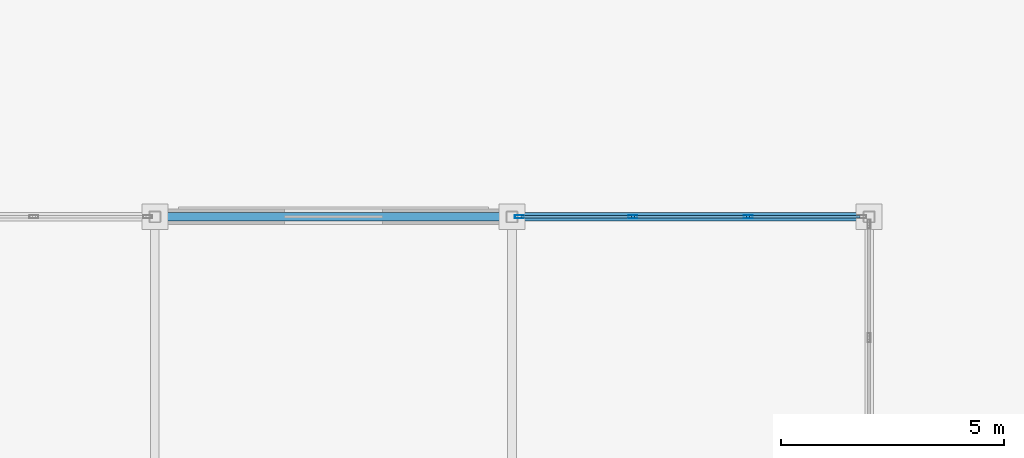
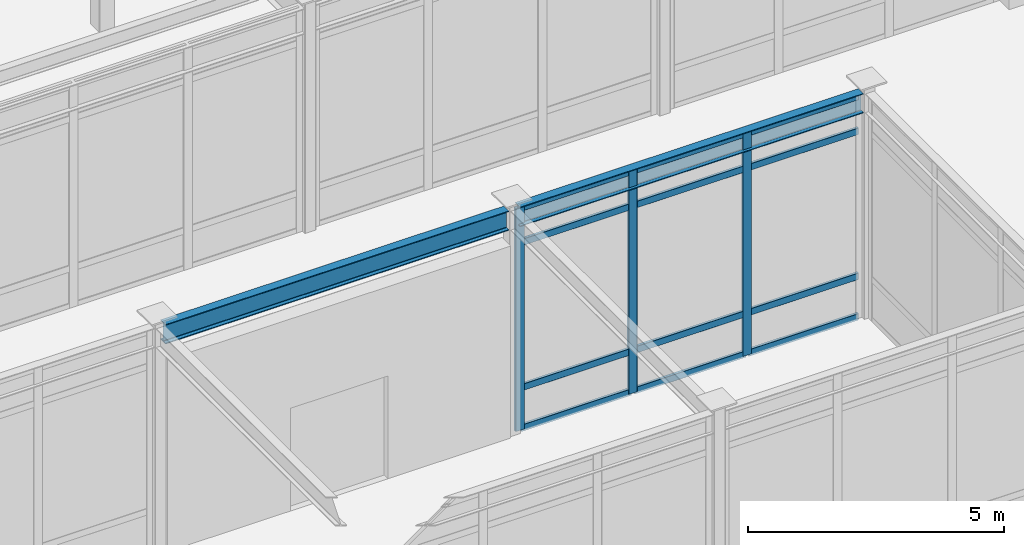
# One storey, part 62 of 128: 15 members, 2 beams, 1 element without a shape of its own.
"""IFC4 building model written with IfcOpenShell, lengths in metres."""

import ifcopenshell
import ifcopenshell.guid

model = None  # the IFC model being written
_history = None  # IfcOwnerHistory: only IFC2X3 demands one
_inside = {}  # id of a spatial element -> (the spatial element, [elements in it])
_under = {}  # id of a project, library or spatial element -> (it, [spatial elements below it])
_declared = {}  # id of a project -> (the project, [libraries it declares])
_typed = {}  # id of a type object -> (the type object, [elements of that type])
_made_of = {}  # id of a material, layer set ... -> (it, [elements and type objects made of it])


def new_model(schema):
    """Start an empty IFC model of exactly this schema.

    Asked for "IFC4X3", IfcOpenShell would pick the latest addendum, in which some entities
    have other attributes; the version numbers below select the first issue.
    IFC2X3 requires an IfcOwnerHistory on every rooted entity: one is made here for all.
    """
    global model, _history
    if schema == "IFC4X3":
        model = ifcopenshell.file(schema_version=(4, 3, 0, 0))
    else:
        model = ifcopenshell.file(schema=schema)
    _inside.clear()
    _under.clear()
    _declared.clear()
    _typed.clear()
    _made_of.clear()
    _history = None
    if model.schema == "IFC2X3":
        org = make("IfcOrganization", Name="unknown")
        user = make(
            "IfcPersonAndOrganization",
            ThePerson=make("IfcPerson", FamilyName="unknown"),
            TheOrganization=org,
        )
        app = make(
            "IfcApplication",
            ApplicationDeveloper=org,
            Version="unknown",
            ApplicationFullName="unknown",
            ApplicationIdentifier="unknown",
        )
        _history = make(
            "IfcOwnerHistory",
            OwningUser=user,
            OwningApplication=app,
            ChangeAction="ADDED",
            CreationDate=0,
        )
    return model


def make(cls, **values):
    """One entity of the class cls with the attributes given. An attribute that is None is left unset."""
    return model.create_entity(
        cls, **{name: value for name, value in values.items() if value is not None}
    )


def rooted(cls, **values):
    """An entity with a GlobalId (a new one), such as an element, a storey or a relation."""
    return make(cls, GlobalId=ifcopenshell.guid.new(), OwnerHistory=_history, **values)


def si_unit(unit_type, name, prefix=None):
    """IfcSIUnit, for example si_unit("LENGTHUNIT", "METRE", prefix="MILLI")."""
    return make("IfcSIUnit", UnitType=unit_type, Prefix=prefix, Name=name)


def assignment(units):
    """IfcUnitAssignment: the units of a project."""
    return None if units is None else make("IfcUnitAssignment", Units=units)


def point(xyz):
    """IfcCartesianPoint."""
    return None if xyz is None else make("IfcCartesianPoint", Coordinates=xyz)


def direction(xyz):
    """IfcDirection."""
    return None if xyz is None else make("IfcDirection", DirectionRatios=xyz)


def frame(location, z_axis=None, x_axis=None):
    """IfcAxis2Placement3D, a coordinate frame: its origin and axes. An axis left out is left unset."""
    return make(
        "IfcAxis2Placement3D",
        Location=point(location),
        Axis=direction(z_axis),
        RefDirection=direction(x_axis),
    )


def frame_2d(location, x_axis=None):
    """IfcAxis2Placement2D, a coordinate frame in the plane: its origin and x axis."""
    return make(
        "IfcAxis2Placement2D", Location=point(location), RefDirection=direction(x_axis)
    )


def origin():
    """The frame at (0, 0, 0) with its axes left unset."""
    return frame((0.0, 0.0, 0.0))


def origin_2d():
    """The frame at (0, 0) in the plane with its x axis left unset."""
    return frame_2d((0.0, 0.0))


def place(relative_to, where):
    """IfcLocalPlacement: puts the frame where relative to a parent placement (None: the world)."""
    return make(
        "IfcLocalPlacement", PlacementRelTo=relative_to, RelativePlacement=where
    )


def context(
    kind, dimensions, precision=None, world=None, true_north=None, identifier=None
):
    """IfcGeometricRepresentationContext, for example the 3D "Model" context."""
    return make(
        "IfcGeometricRepresentationContext",
        ContextIdentifier=identifier,
        ContextType=kind,
        CoordinateSpaceDimension=dimensions,
        Precision=precision,
        WorldCoordinateSystem=world,
        TrueNorth=true_north,
    )


def subcontext(parent, identifier, kind, view, scale=None):
    """IfcGeometricRepresentationSubContext, for example "Body" below "Model"."""
    return make(
        "IfcGeometricRepresentationSubContext",
        ContextIdentifier=identifier,
        ContextType=kind,
        ParentContext=parent,
        TargetScale=scale,
        TargetView=view,
    )


def project(units=None, contexts=None):
    """IfcProject with its units and contexts."""
    return rooted(
        "IfcProject",
        Name="project",
        RepresentationContexts=contexts,
        UnitsInContext=assignment(units),
    )


def spatial(cls, under=None, at=None, **own):
    """A site, building, storey or space (cls), placed at a placement, below another one or the project."""
    s = rooted(cls, ObjectPlacement=at, **own)
    if under is not None:
        _under.setdefault(under.id(), (under, []))[1].append(s)
    return s


def profile(cls, at=None, kind="AREA", **sizes):
    """A parametric profile (cls). Its sizes go by their IFC names, for example OverallWidth=200.0."""
    return make(cls, ProfileType=kind, Position=at, **sizes)


def hollow_rectangle(**sizes):
    """IfcRectangleHollowProfileDef."""
    return profile("IfcRectangleHollowProfileDef", **sizes)


def i_section(**sizes):
    """IfcIShapeProfileDef."""
    return profile("IfcIShapeProfileDef", **sizes)


def extrude(swept, where, along, depth):
    """IfcExtrudedAreaSolid: the profile swept, set in the frame where, extruded along a direction by depth."""
    return make(
        "IfcExtrudedAreaSolid",
        SweptArea=swept,
        Position=where,
        ExtrudedDirection=direction(along),
        Depth=depth,
    )


def shape(context_of_items, identifier, shape_type, items):
    """IfcShapeRepresentation: the items that make up one representation, for example the "Body"."""
    return make(
        "IfcShapeRepresentation",
        ContextOfItems=context_of_items,
        RepresentationIdentifier=identifier,
        RepresentationType=shape_type,
        Items=items,
    )


def material(Name=None, Category=None):
    """IfcMaterial."""
    return make("IfcMaterial", Name=Name, Category=Category)


def material_profile(
    of_material, cross_section, Name=None, Category=None, Priority=None
):
    """IfcMaterialProfile: a cross section and its material."""
    return make(
        "IfcMaterialProfile",
        Name=Name,
        Material=of_material,
        Profile=cross_section,
        Priority=Priority,
        Category=Category,
    )


def profile_set(profiles, Name=None, composite=None):
    """IfcMaterialProfileSet."""
    return make(
        "IfcMaterialProfileSet",
        Name=Name,
        MaterialProfiles=profiles,
        CompositeProfile=composite,
    )


def made_of(thing, what):
    """Note that an element or type object is made of a material, layer set ...; save() writes the relation."""
    if what is not None:
        _made_of.setdefault(what.id(), (what, []))[1].append(thing)
    return thing


def type_object(cls, material=None, **own):
    """A type object (cls), such as IfcWallType, which elements share."""
    return made_of(rooted(cls, **own), material)


def element(
    cls,
    number,
    at=None,
    inside=None,
    cuts=None,
    type_object=None,
    material=None,
    context=None,
    identifier="Body",
    shape_type=None,
    held_by="IfcProductDefinitionShape",
    body=None,
    shapes=None,
    **own,
):
    """One element of the class cls, such as IfcWall. Its Tag is "e" and its number.

    at: its placement. inside: the storey or other place that contains it. cuts: it is an
    opening in that element (IfcRelVoidsElement). A single representation is given by context,
    identifier, shape_type and body (its items); several are given by shapes. held_by: the class
    of the entity that holds the representations. save() writes the other relations.
    """
    e = rooted(cls, Tag="e%d" % number, ObjectPlacement=at, **own)
    if body is not None:
        shapes = [shape(context, identifier, shape_type, body)]
    if shapes is not None:
        e.Representation = make(held_by, Representations=shapes)
    if inside is not None:
        _inside.setdefault(inside.id(), (inside, []))[1].append(e)
    if cuts is not None:
        rooted(
            "IfcRelVoidsElement", RelatingBuildingElement=cuts, RelatedOpeningElement=e
        )
    if type_object is not None:
        _typed.setdefault(type_object.id(), (type_object, []))[1].append(e)
    return made_of(e, material)


def aggregate(whole, parts):
    """IfcRelAggregates: a whole, such as a stair, and the parts it consists of."""
    return rooted("IfcRelAggregates", RelatingObject=whole, RelatedObjects=parts)


def save(model, path):
    """Write the relations noted so far, then the file.

    IfcRelAggregates (storeys below a building ...), IfcRelContainedInSpatialStructure (elements
    in a storey), IfcRelDefinesByType, IfcRelAssociatesMaterial and IfcRelDeclares: one each for
    every whole, place, type object, material and project.
    """
    for whole, parts in _under.values():
        aggregate(whole, parts)
    for where, things in _inside.values():
        rooted(
            "IfcRelContainedInSpatialStructure",
            RelatedElements=things,
            RelatingStructure=where,
        )
    for kind, things in _typed.values():
        rooted("IfcRelDefinesByType", RelatedObjects=things, RelatingType=kind)
    for what, things in _made_of.values():
        rooted("IfcRelAssociatesMaterial", RelatedObjects=things, RelatingMaterial=what)
    for by, libraries in _declared.values():
        rooted("IfcRelDeclares", RelatingContext=by, RelatedDefinitions=libraries)
    model.write(path)


model = new_model("IFC4")

# Units and contexts
model_context = context("Model", 3, precision=1e-05, world=origin(), true_north=direction((0.0, 1.0)))
body_context = subcontext(model_context, "Body", "Model", "MODEL_VIEW")
ifc_project = project(units=[si_unit("LENGTHUNIT", "METRE"), si_unit("AREAUNIT", "SQUARE_METRE"), si_unit("VOLUMEUNIT", "CUBIC_METRE"), si_unit("PLANEANGLEUNIT", "RADIAN"), si_unit("MASSUNIT", "GRAM", prefix="KILO")], contexts=[model_context])

# Site, building, storey
site_placement = place(None, origin())
site = spatial("IfcSite", under=ifc_project, at=site_placement, CompositionType="ELEMENT")
building_placement = place(site_placement, origin())
building = spatial("IfcBuilding", under=site, at=building_placement, Name="Solmirada Galleria", CompositionType="ELEMENT")
storey_placement = place(building_placement, origin())
storey = spatial("IfcBuildingStorey", under=building, at=storey_placement, Name="L00", CompositionType="ELEMENT", Elevation=0.0)

# Beams
ifc_material_1 = material(Name="Steel S355 / ASTM A992 Grade 50", Category="steel")
ifc_material_profile_1 = material_profile(ifc_material_1, i_section(OverallWidth=0.193115234375, OverallDepth=0.466064453125, WebThickness=0.011474609375, FlangeThickness=0.01904296875, FilletRadius=0.013916015625, at=origin_2d()), Name="W18X65")
ifc_profile_set_1 = profile_set([ifc_material_profile_1], Name="Steel S355 / ASTM A992 Grade 50")
beam_type = type_object("IfcBeamType", Name="BM-GIRD-W18C", PredefinedType="BEAM", material=ifc_profile_set_1)
for number, where, z_axis, x_axis, name in (
    (1, (56.126953125, 64.0, 5.139892578125), (1.0, 0.0, 0.0), (0.0, 1.0, 0.0), "Arcade boutique roof girder BW"),
    (2, (64.126953125, 64.0, 5.139892578125), (1.0, 0.0, 0.0), (0.0, 1.0, 0.0), "Arcade boutique roof girder BW"),
):
    element("IfcBeam", number, at=place(storey_placement, frame(where, z_axis=z_axis, x_axis=x_axis)), inside=storey, type_object=beam_type, Name=name, PredefinedType="BEAM", context=body_context, shape_type="SweptSolid", body=[
        extrude(i_section(OverallWidth=0.193115234375, OverallDepth=0.466064453125, WebThickness=0.011474609375, FlangeThickness=0.01904296875, FilletRadius=0.013916015625, at=origin_2d()), origin(), (0.0, 0.0, 1.0), 7.74609375),
    ])

# Curtain wall, members
ifc_material_2 = material(Name="Impact-resistant low-E double glazing", Category="glass")
curtain_wall_type = type_object("IfcCurtainWallType", Name="CW-FZ5-L00-B3-L077", PredefinedType="NOTDEFINED", material=ifc_material_2)
curtain_wall_placement = place(storey_placement, origin())
curtain_wall = element("IfcCurtainWall", 3, at=curtain_wall_placement, inside=storey, type_object=curtain_wall_type, Name="Terrace and arcade storefront CW-L00-037", PredefinedType="NOTDEFINED")
ifc_material_3 = material(Name="Anodised aluminium framing", Category="aluminium")
ifc_material_profile_2 = material_profile(ifc_material_3, hollow_rectangle(XDim=0.070068359375, YDim=0.199951171875, WallThickness=0.004150390625, InnerFilletRadius=0.004150390625, OuterFilletRadius=0.00830078125, at=origin_2d()), Name="ALU-MULL-200X70")
ifc_profile_set_2 = profile_set([ifc_material_profile_2], Name="Anodised aluminium framing")
member_type_1 = type_object("IfcMemberType", Name="CW-MULL-200", PredefinedType="MULLION", material=ifc_profile_set_2)
member_1_placement = place(storey_placement, frame((64.1640625, 64.0, 0.0), z_axis=(0.0, 0.0, 1.0), x_axis=(0.0, 1.0, 0.0)))
member_1 = element("IfcMember", 4, at=member_1_placement, type_object=member_type_1, Name="CW08 mullion 1", PredefinedType="MULLION", context=body_context, shape_type="SweptSolid", body=[
    extrude(hollow_rectangle(XDim=0.070068359375, YDim=0.199951171875, WallThickness=0.004150390625, InnerFilletRadius=0.004150390625, OuterFilletRadius=0.00830078125, at=origin_2d()), origin(), (0.0, 0.0, 1.0), 5.320068359375),
])
member_2_placement = place(storey_placement, frame((66.709716796875, 64.0, 0.0), z_axis=(0.0, 0.0, 1.0), x_axis=(0.0, 1.0, 0.0)))
member_2 = element("IfcMember", 5, at=member_2_placement, type_object=member_type_1, Name="CW08 mullion 2", PredefinedType="MULLION", context=body_context, shape_type="SweptSolid", body=[
    extrude(hollow_rectangle(XDim=0.070068359375, YDim=0.199951171875, WallThickness=0.004150390625, InnerFilletRadius=0.004150390625, OuterFilletRadius=0.00830078125, at=origin_2d()), origin(), (0.0, 0.0, 1.0), 5.320068359375),
])
member_3_placement = place(storey_placement, frame((69.290283203125, 64.0, 0.0), z_axis=(0.0, 0.0, 1.0), x_axis=(0.0, 1.0, 0.0)))
member_3 = element("IfcMember", 6, at=member_3_placement, type_object=member_type_1, Name="CW08 mullion 3", PredefinedType="MULLION", context=body_context, shape_type="SweptSolid", body=[
    extrude(hollow_rectangle(XDim=0.070068359375, YDim=0.199951171875, WallThickness=0.004150390625, InnerFilletRadius=0.004150390625, OuterFilletRadius=0.00830078125, at=origin_2d()), origin(), (0.0, 0.0, 1.0), 5.320068359375),
])
ifc_material_profile_3 = material_profile(ifc_material_3, hollow_rectangle(XDim=0.06494140625, YDim=0.159912109375, WallThickness=0.00390625, InnerFilletRadius=0.00390625, OuterFilletRadius=0.007568359375, at=origin_2d()), Name="ALU-TRAN-160X65")
ifc_profile_set_3 = profile_set([ifc_material_profile_3], Name="Anodised aluminium framing")
member_type_2 = type_object("IfcMemberType", Name="CW-TRAN-160", PredefinedType="USERDEFINED", material=ifc_profile_set_3)
member_4_placement = place(storey_placement, frame((64.198974609375, 64.0, 0.032470703125), z_axis=(1.0, 0.0, 0.0), x_axis=(0.0, 1.0, 0.0)))
member_4 = element("IfcMember", 7, at=member_4_placement, type_object=member_type_2, Name="CW08 transom 1.1", ObjectType="TRANSOM", PredefinedType="USERDEFINED", context=body_context, shape_type="SweptSolid", body=[
    extrude(hollow_rectangle(XDim=0.06494140625, YDim=0.159912109375, WallThickness=0.00390625, InnerFilletRadius=0.00390625, OuterFilletRadius=0.007568359375, at=origin_2d()), origin(), (0.0, 0.0, 1.0), 2.4755859375),
])
member_5_placement = place(storey_placement, frame((64.198974609375, 64.0, 1.0), z_axis=(1.0, 0.0, 0.0), x_axis=(0.0, 1.0, 0.0)))
member_5 = element("IfcMember", 8, at=member_5_placement, type_object=member_type_2, Name="CW08 transom 1.2", ObjectType="TRANSOM", PredefinedType="USERDEFINED", context=body_context, shape_type="SweptSolid", body=[
    extrude(hollow_rectangle(XDim=0.06494140625, YDim=0.159912109375, WallThickness=0.00390625, InnerFilletRadius=0.00390625, OuterFilletRadius=0.007568359375, at=origin_2d()), origin(), (0.0, 0.0, 1.0), 2.4755859375),
])
member_6_placement = place(storey_placement, frame((64.198974609375, 64.0, 4.4599609375), z_axis=(1.0, 0.0, 0.0), x_axis=(0.0, 1.0, 0.0)))
member_6 = element("IfcMember", 9, at=member_6_placement, type_object=member_type_2, Name="CW08 transom 1.3", ObjectType="TRANSOM", PredefinedType="USERDEFINED", context=body_context, shape_type="SweptSolid", body=[
    extrude(hollow_rectangle(XDim=0.06494140625, YDim=0.159912109375, WallThickness=0.00390625, InnerFilletRadius=0.00390625, OuterFilletRadius=0.007568359375, at=origin_2d()), origin(), (0.0, 0.0, 1.0), 2.4755859375),
])
member_7_placement = place(storey_placement, frame((64.198974609375, 64.0, 5.28759765625), z_axis=(1.0, 0.0, 0.0), x_axis=(0.0, 1.0, 0.0)))
member_7 = element("IfcMember", 10, at=member_7_placement, type_object=member_type_2, Name="CW08 transom 1.4", ObjectType="TRANSOM", PredefinedType="USERDEFINED", context=body_context, shape_type="SweptSolid", body=[
    extrude(hollow_rectangle(XDim=0.06494140625, YDim=0.159912109375, WallThickness=0.00390625, InnerFilletRadius=0.00390625, OuterFilletRadius=0.007568359375, at=origin_2d()), origin(), (0.0, 0.0, 1.0), 2.4755859375),
])
member_8_placement = place(storey_placement, frame((66.74462890625, 64.0, 0.032470703125), z_axis=(1.0, 0.0, 0.0), x_axis=(0.0, 1.0, 0.0)))
member_8 = element("IfcMember", 11, at=member_8_placement, type_object=member_type_2, Name="CW08 transom 2.1", ObjectType="TRANSOM", PredefinedType="USERDEFINED", context=body_context, shape_type="SweptSolid", body=[
    extrude(hollow_rectangle(XDim=0.06494140625, YDim=0.159912109375, WallThickness=0.00390625, InnerFilletRadius=0.00390625, OuterFilletRadius=0.007568359375, at=origin_2d()), origin(), (0.0, 0.0, 1.0), 2.5107421875),
])
member_9_placement = place(storey_placement, frame((66.74462890625, 64.0, 1.0), z_axis=(1.0, 0.0, 0.0), x_axis=(0.0, 1.0, 0.0)))
member_9 = element("IfcMember", 12, at=member_9_placement, type_object=member_type_2, Name="CW08 transom 2.2", ObjectType="TRANSOM", PredefinedType="USERDEFINED", context=body_context, shape_type="SweptSolid", body=[
    extrude(hollow_rectangle(XDim=0.06494140625, YDim=0.159912109375, WallThickness=0.00390625, InnerFilletRadius=0.00390625, OuterFilletRadius=0.007568359375, at=origin_2d()), origin(), (0.0, 0.0, 1.0), 2.5107421875),
])
member_10_placement = place(storey_placement, frame((66.74462890625, 64.0, 4.4599609375), z_axis=(1.0, 0.0, 0.0), x_axis=(0.0, 1.0, 0.0)))
member_10 = element("IfcMember", 13, at=member_10_placement, type_object=member_type_2, Name="CW08 transom 2.3", ObjectType="TRANSOM", PredefinedType="USERDEFINED", context=body_context, shape_type="SweptSolid", body=[
    extrude(hollow_rectangle(XDim=0.06494140625, YDim=0.159912109375, WallThickness=0.00390625, InnerFilletRadius=0.00390625, OuterFilletRadius=0.007568359375, at=origin_2d()), origin(), (0.0, 0.0, 1.0), 2.5107421875),
])
member_11_placement = place(storey_placement, frame((66.74462890625, 64.0, 5.28759765625), z_axis=(1.0, 0.0, 0.0), x_axis=(0.0, 1.0, 0.0)))
member_11 = element("IfcMember", 14, at=member_11_placement, type_object=member_type_2, Name="CW08 transom 2.4", ObjectType="TRANSOM", PredefinedType="USERDEFINED", context=body_context, shape_type="SweptSolid", body=[
    extrude(hollow_rectangle(XDim=0.06494140625, YDim=0.159912109375, WallThickness=0.00390625, InnerFilletRadius=0.00390625, OuterFilletRadius=0.007568359375, at=origin_2d()), origin(), (0.0, 0.0, 1.0), 2.5107421875),
])
member_12_placement = place(storey_placement, frame((69.325439453125, 64.0, 0.032470703125), z_axis=(1.0, 0.0, 0.0), x_axis=(0.0, 1.0, 0.0)))
member_12 = element("IfcMember", 15, at=member_12_placement, type_object=member_type_2, Name="CW08 transom 3.1", ObjectType="TRANSOM", PredefinedType="USERDEFINED", context=body_context, shape_type="SweptSolid", body=[
    extrude(hollow_rectangle(XDim=0.06494140625, YDim=0.159912109375, WallThickness=0.00390625, InnerFilletRadius=0.00390625, OuterFilletRadius=0.007568359375, at=origin_2d()), origin(), (0.0, 0.0, 1.0), 2.4755859375),
])
member_13_placement = place(storey_placement, frame((69.325439453125, 64.0, 1.0), z_axis=(1.0, 0.0, 0.0), x_axis=(0.0, 1.0, 0.0)))
member_13 = element("IfcMember", 16, at=member_13_placement, type_object=member_type_2, Name="CW08 transom 3.2", ObjectType="TRANSOM", PredefinedType="USERDEFINED", context=body_context, shape_type="SweptSolid", body=[
    extrude(hollow_rectangle(XDim=0.06494140625, YDim=0.159912109375, WallThickness=0.00390625, InnerFilletRadius=0.00390625, OuterFilletRadius=0.007568359375, at=origin_2d()), origin(), (0.0, 0.0, 1.0), 2.4755859375),
])
member_14_placement = place(storey_placement, frame((69.325439453125, 64.0, 4.4599609375), z_axis=(1.0, 0.0, 0.0), x_axis=(0.0, 1.0, 0.0)))
member_14 = element("IfcMember", 17, at=member_14_placement, type_object=member_type_2, Name="CW08 transom 3.3", ObjectType="TRANSOM", PredefinedType="USERDEFINED", context=body_context, shape_type="SweptSolid", body=[
    extrude(hollow_rectangle(XDim=0.06494140625, YDim=0.159912109375, WallThickness=0.00390625, InnerFilletRadius=0.00390625, OuterFilletRadius=0.007568359375, at=origin_2d()), origin(), (0.0, 0.0, 1.0), 2.4755859375),
])
member_15_placement = place(storey_placement, frame((69.325439453125, 64.0, 5.28759765625), z_axis=(1.0, 0.0, 0.0), x_axis=(0.0, 1.0, 0.0)))
member_15 = element("IfcMember", 18, at=member_15_placement, type_object=member_type_2, Name="CW08 transom 3.4", ObjectType="TRANSOM", PredefinedType="USERDEFINED", context=body_context, shape_type="SweptSolid", body=[
    extrude(hollow_rectangle(XDim=0.06494140625, YDim=0.159912109375, WallThickness=0.00390625, InnerFilletRadius=0.00390625, OuterFilletRadius=0.007568359375, at=origin_2d()), origin(), (0.0, 0.0, 1.0), 2.4755859375),
])
aggregate(curtain_wall, [member_1, member_2, member_3, member_4, member_5, member_6, member_7, member_8, member_9, member_10, member_11, member_12, member_13, member_14, member_15])

save(model, "model.ifc")
